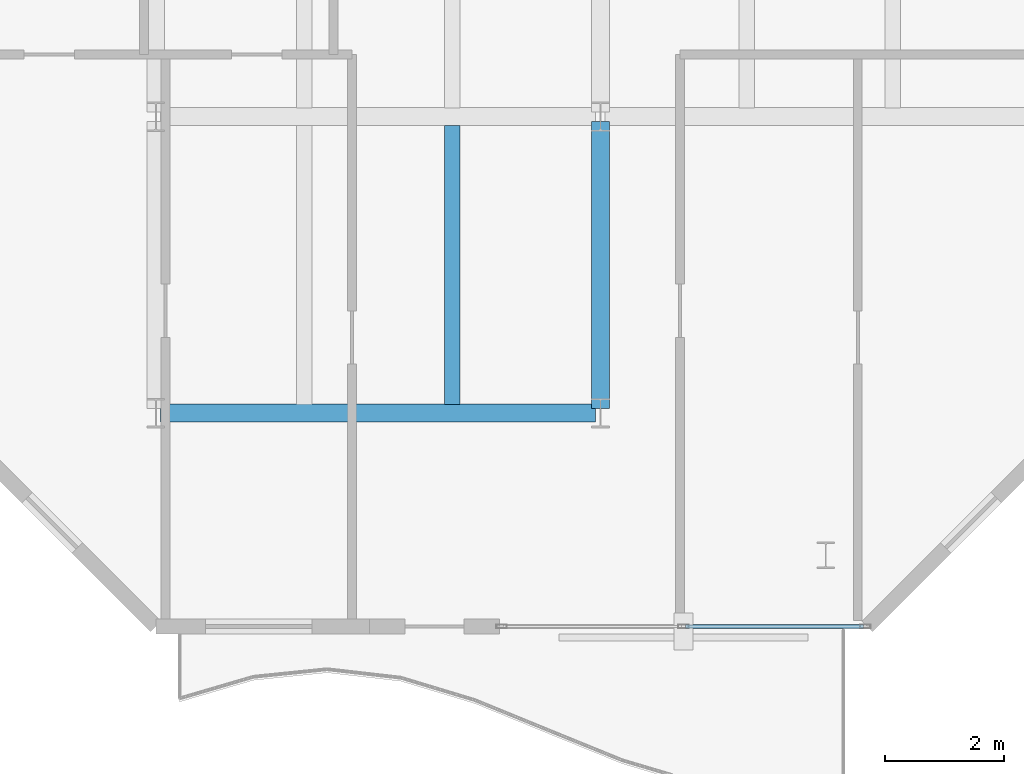
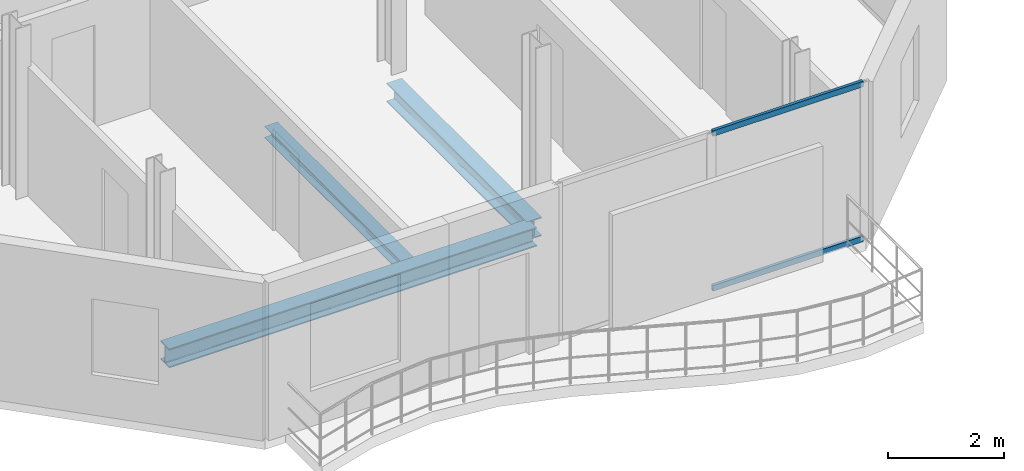
# One storey, part 4 of 23: 3 beams, 2 members, 1 element without a shape of its own.
"""IFC4 building model written with IfcOpenShell, lengths in metres."""

from ifc_helpers import new_model, si_unit, direction, frame, origin, origin_2d, place, context, subcontext, project, spatial, hollow_rectangle, i_section, extrude, material, layer, layer_set, material_profile, profile_set, type_object, element, aggregate, save


model = new_model("IFC4")

# Units and contexts
model_context = context("Model", 3, precision=1e-05, world=origin(), true_north=direction((0.0, 1.0)))
body_context = subcontext(model_context, "Body", "Model", "MODEL_VIEW")
ifc_project = project(units=[si_unit("LENGTHUNIT", "METRE"), si_unit("AREAUNIT", "SQUARE_METRE"), si_unit("VOLUMEUNIT", "CUBIC_METRE"), si_unit("PLANEANGLEUNIT", "RADIAN"), si_unit("MASSUNIT", "GRAM", prefix="KILO")], contexts=[model_context])

# Site, building, storey
site_placement = place(None, origin())
site = spatial("IfcSite", under=ifc_project, at=site_placement, CompositionType="ELEMENT")
building_placement = place(site_placement, origin())
building = spatial("IfcBuilding", under=site, at=building_placement, Name="Catumbela Crestline Tower", CompositionType="ELEMENT")
storey_placement = place(building_placement, frame((0.0, 0.0, 201.0)))
storey = spatial("IfcBuildingStorey", under=building, at=storey_placement, Name="L52", CompositionType="ELEMENT", Elevation=201.0)

# Beams
ifc_material_1 = material(Name="Structural steel S355J2", Category="steel")
ifc_material_profile_1 = material_profile(ifc_material_1, i_section(OverallWidth=0.3, OverallDepth=0.4, WebThickness=0.0135, FlangeThickness=0.024, FilletRadius=0.027, at=origin_2d()), Name="HEB 400")
ifc_profile_set_1 = profile_set([ifc_material_profile_1], Name="Structural steel S355J2")
beam_type_1 = type_object("IfcBeamType", Name="BG-HEB400", PredefinedType="BEAM", material=ifc_profile_set_1)
beam_1_placement = place(storey_placement, frame((8.58, 8.6, -0.46), z_axis=(1.0, 0.0, 0.0), x_axis=(0.0, 1.0, 0.0)))
element("IfcBeam", 1, at=beam_1_placement, inside=storey, type_object=beam_type_1, Name="L52 Beam BM-L52-WEW32", PredefinedType="BEAM", context=body_context, shape_type="SweptSolid", body=[
    extrude(i_section(OverallWidth=0.3, OverallDepth=0.4, WebThickness=0.0135, FlangeThickness=0.024, FilletRadius=0.027, at=origin_2d()), origin(), (0.0, 0.0, 1.0), 7.34),
])
beam_2_placement = place(storey_placement, frame((16.0, 8.68, -0.46), z_axis=(0.0, 1.0, 0.0), x_axis=(-1.0, 0.0, 0.0)))
element("IfcBeam", 2, at=beam_2_placement, inside=storey, type_object=beam_type_1, Name="L52 Beam BM-L52-WNS40", PredefinedType="BEAM", context=body_context, shape_type="SweptSolid", body=[
    extrude(i_section(OverallWidth=0.3, OverallDepth=0.4, WebThickness=0.0135, FlangeThickness=0.024, FilletRadius=0.027, at=origin_2d()), origin(), (0.0, 0.0, 1.0), 4.84),
])
ifc_material_profile_2 = material_profile(ifc_material_1, i_section(OverallWidth=0.26, OverallDepth=0.25, WebThickness=0.0075, FlangeThickness=0.0125, FilletRadius=0.024, at=origin_2d()), Name="HEA 260")
ifc_profile_set_2 = profile_set([ifc_material_profile_2], Name="Structural steel S355J2")
beam_type_2 = type_object("IfcBeamType", Name="BJ-HEA260", PredefinedType="JOIST", material=ifc_profile_set_2)
beam_3_placement = place(storey_placement, frame((13.5, 8.747, -0.385), z_axis=(0.0, 1.0, 0.0), x_axis=(-1.0, 0.0, 0.0)))
element("IfcBeam", 3, at=beam_3_placement, inside=storey, type_object=beam_type_2, Name="L52 Joist JS-L52-WG45", PredefinedType="JOIST", context=body_context, shape_type="SweptSolid", body=[
    extrude(i_section(OverallWidth=0.26, OverallDepth=0.25, WebThickness=0.0075, FlangeThickness=0.0125, FilletRadius=0.024, at=origin_2d()), origin(), (0.0, 0.0, 1.0), 4.706),
])

# Curtain wall, members
ifc_material_2 = material(Name="Aluminium alloy AW-6060-T66", Category="aluminium")
ifc_layer = layer(ifc_material_2, 0.18, Name="Aluminium alloy AW-6060-T66")
ifc_layer_set = layer_set([ifc_layer], Name="Aluminium alloy AW-6060-T66")
curtain_wall_type = type_object("IfcCurtainWallType", Name="CWU-Z3", PredefinedType="USERDEFINED", material=ifc_layer_set)
curtain_wall_placement = place(storey_placement, origin())
curtain_wall = element("IfcCurtainWall", 4, at=curtain_wall_placement, inside=storey, type_object=curtain_wall_type, Name="L52 Unitised Curtain Wall CW-L52-E0S2", ObjectType="UNITISED", PredefinedType="USERDEFINED")
ifc_material_profile_3 = material_profile(ifc_material_2, hollow_rectangle(XDim=0.06, YDim=0.12, WallThickness=0.0035, at=origin_2d()), Name="ALU 120x60x3.5")
ifc_profile_set_3 = profile_set([ifc_material_profile_3], Name="Aluminium alloy AW-6060-T66")
member_type = type_object("IfcMemberType", Name="TRN-120X60", PredefinedType="USERDEFINED", material=ifc_profile_set_3)
member_1_placement = place(storey_placement, frame((17.4325, 5.0, 0.03), z_axis=(1.0, 0.0, 0.0), x_axis=(0.0, 1.0, 0.0)))
member_1 = element("IfcMember", 5, at=member_1_placement, type_object=member_type, Name="CWU-Z3 transom 2.1", ObjectType="TRANSOM", PredefinedType="USERDEFINED", context=body_context, shape_type="SweptSolid", body=[
    extrude(hollow_rectangle(XDim=0.06, YDim=0.12, WallThickness=0.0035, at=origin_2d()), origin(), (0.0, 0.0, 1.0), 3.0025),
])
member_2_placement = place(storey_placement, frame((17.4325, 5.0, 3.3), z_axis=(1.0, 0.0, 0.0), x_axis=(0.0, 1.0, 0.0)))
member_2 = element("IfcMember", 6, at=member_2_placement, type_object=member_type, Name="CWU-Z3 transom 2.2", ObjectType="TRANSOM", PredefinedType="USERDEFINED", context=body_context, shape_type="SweptSolid", body=[
    extrude(hollow_rectangle(XDim=0.06, YDim=0.12, WallThickness=0.0035, at=origin_2d()), origin(), (0.0, 0.0, 1.0), 3.0025),
])
aggregate(curtain_wall, [member_1, member_2])

save(model, "model.ifc")
